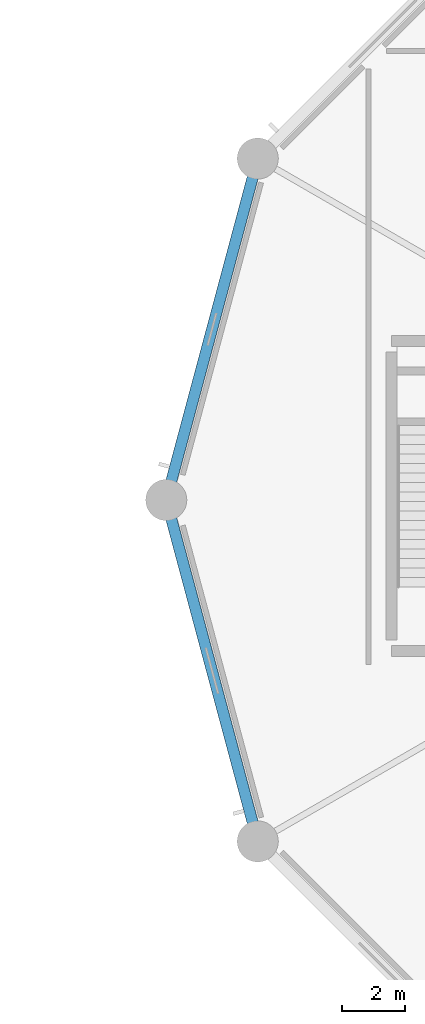
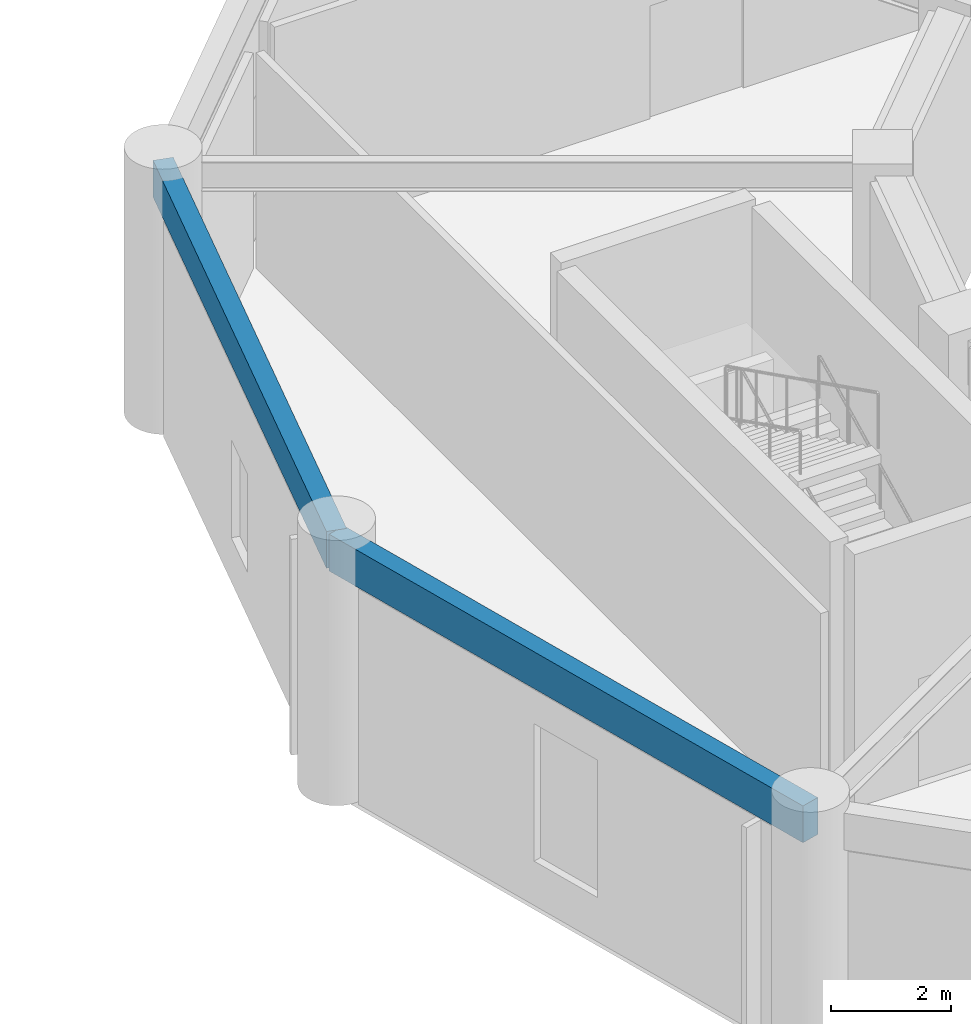
# One storey, part 31 of 155: 2 beams.
"""IFC4 building model written with IfcOpenShell, lengths in metres."""

from ifc_helpers import new_model, si_unit, direction, frame, origin, origin_2d, place, context, subcontext, project, spatial, rectangle, extrude, material, material_profile, profile_set, type_object, element, save


model = new_model("IFC4")

# Units and contexts
model_context = context("Model", 3, precision=1e-05, world=origin(), true_north=direction((0.0, 1.0)))
body_context = subcontext(model_context, "Body", "Model", "MODEL_VIEW")
ifc_project = project(units=[si_unit("LENGTHUNIT", "METRE"), si_unit("AREAUNIT", "SQUARE_METRE"), si_unit("VOLUMEUNIT", "CUBIC_METRE"), si_unit("PLANEANGLEUNIT", "RADIAN"), si_unit("MASSUNIT", "GRAM", prefix="KILO")], contexts=[model_context])

# Site, building, storey
site_placement = place(None, origin())
site = spatial("IfcSite", under=ifc_project, at=site_placement, CompositionType="ELEMENT")
building_placement = place(site_placement, origin())
building = spatial("IfcBuilding", under=site, at=building_placement, Name="Haizhuo Lancet Aquarium", CompositionType="ELEMENT")
storey_placement = place(building_placement, frame((0.0, 0.0, 10.800048828125)))
storey = spatial("IfcBuildingStorey", under=building, at=storey_placement, Name="L02", CompositionType="ELEMENT", Elevation=10.800048828125)

# Beams
ifc_material = material(Name="Concrete C40/50", Category="concrete")
ifc_material_profile = material_profile(ifc_material, rectangle(XDim=0.35009765625, YDim=0.75, at=origin_2d()), Name="RC-SP 350x750")
ifc_profile_set = profile_set([ifc_material_profile], Name="Concrete C40/50")
beam_type = type_object("IfcBeamType", Name="SPN-RC-350x750", PredefinedType="SPANDREL", material=ifc_profile_set)
for number, where, z_axis, x_axis, name in (
    (1, (-18.7060546875, 10.800048828125, 4.784912109375), (-0.258833949056, -0.965921832664, 0.0), (0.965921832664, -0.258833949056, 0.0), "L02 drum perimeter spandrel 6"),
    (2, (-21.60009765625, 0.0, 4.784912109375), (0.258833949056, -0.965921832664, 0.0), (0.965921832664, 0.258833949056, 0.0), "L02 drum perimeter spandrel 7"),
):
    element("IfcBeam", number, at=place(storey_placement, frame(where, z_axis=z_axis, x_axis=x_axis)), inside=storey, type_object=beam_type, Name=name, PredefinedType="SPANDREL", context=body_context, shape_type="SweptSolid", body=[
        extrude(rectangle(XDim=0.35009765625, YDim=0.75, at=origin_2d()), origin(), (0.0, 0.0, 1.0), 11.18115234375),
    ])

save(model, "model.ifc")
